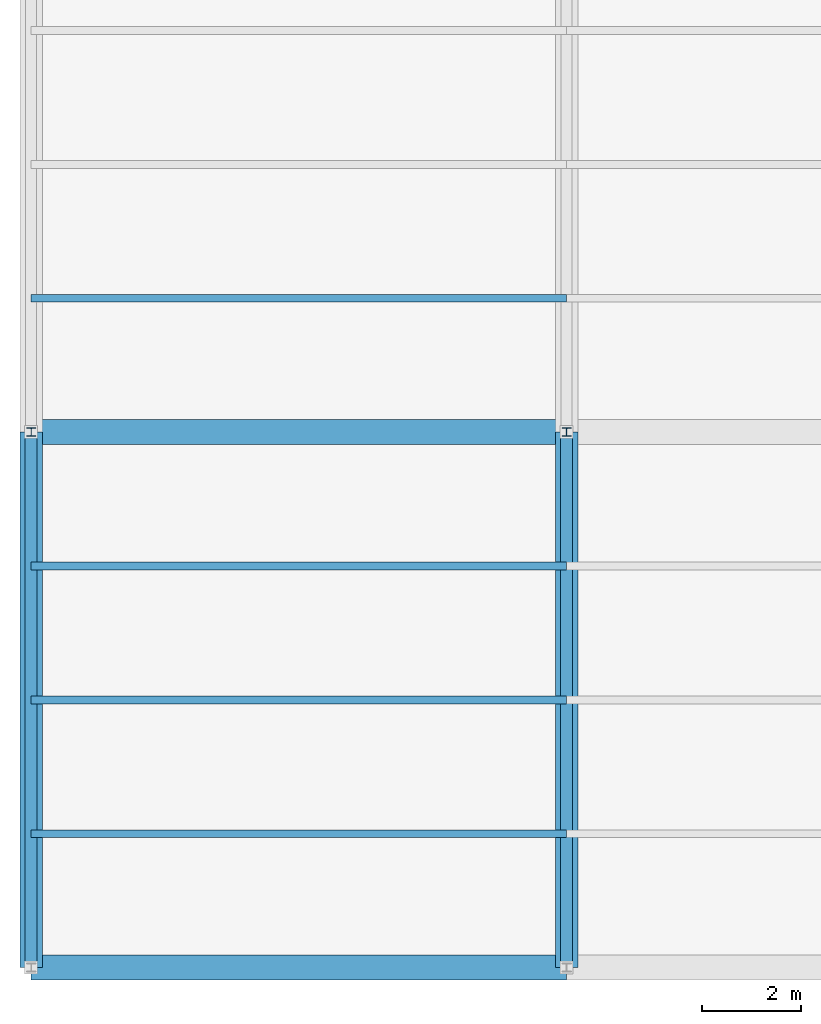
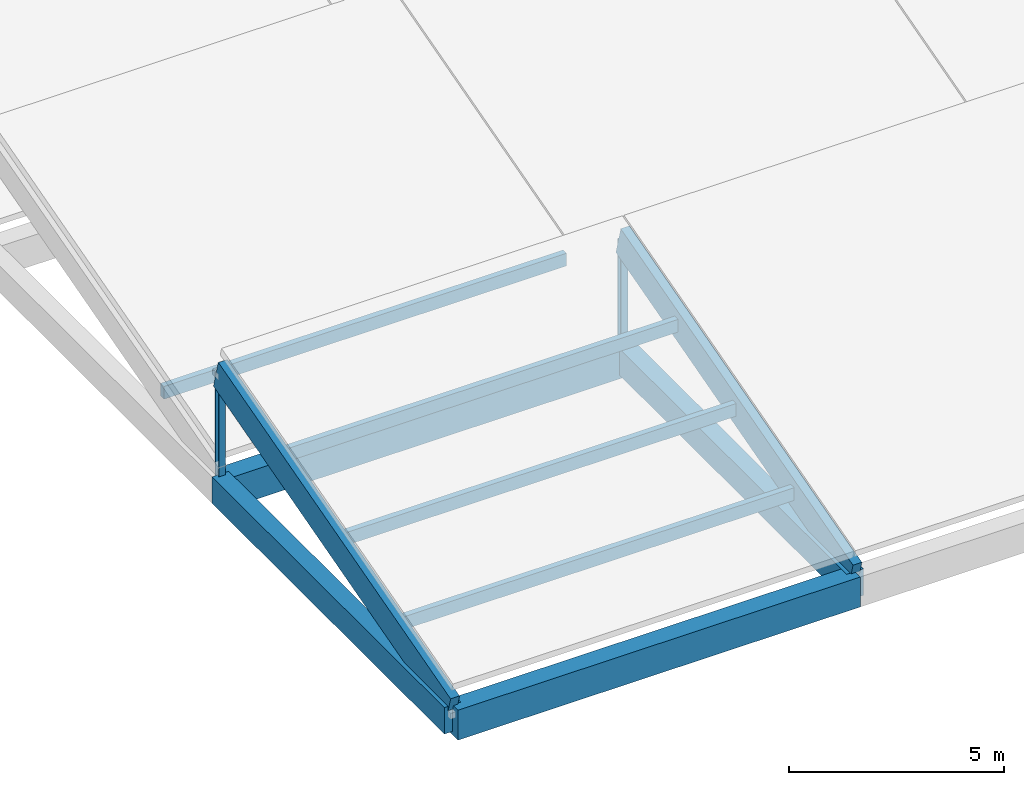
# One storey, part 1 of 112: 8 members, 4 beams.
"""IFC4 building model written with IfcOpenShell, lengths in metres."""

import ifcopenshell
import ifcopenshell.guid

model = None  # the IFC model being written
_history = None  # IfcOwnerHistory: only IFC2X3 demands one
_inside = {}  # id of a spatial element -> (the spatial element, [elements in it])
_under = {}  # id of a project, library or spatial element -> (it, [spatial elements below it])
_declared = {}  # id of a project -> (the project, [libraries it declares])
_typed = {}  # id of a type object -> (the type object, [elements of that type])
_made_of = {}  # id of a material, layer set ... -> (it, [elements and type objects made of it])


def new_model(schema):
    """Start an empty IFC model of exactly this schema.

    Asked for "IFC4X3", IfcOpenShell would pick the latest addendum, in which some entities
    have other attributes; the version numbers below select the first issue.
    IFC2X3 requires an IfcOwnerHistory on every rooted entity: one is made here for all.
    """
    global model, _history
    if schema == "IFC4X3":
        model = ifcopenshell.file(schema_version=(4, 3, 0, 0))
    else:
        model = ifcopenshell.file(schema=schema)
    _inside.clear()
    _under.clear()
    _declared.clear()
    _typed.clear()
    _made_of.clear()
    _history = None
    if model.schema == "IFC2X3":
        org = make("IfcOrganization", Name="unknown")
        user = make(
            "IfcPersonAndOrganization",
            ThePerson=make("IfcPerson", FamilyName="unknown"),
            TheOrganization=org,
        )
        app = make(
            "IfcApplication",
            ApplicationDeveloper=org,
            Version="unknown",
            ApplicationFullName="unknown",
            ApplicationIdentifier="unknown",
        )
        _history = make(
            "IfcOwnerHistory",
            OwningUser=user,
            OwningApplication=app,
            ChangeAction="ADDED",
            CreationDate=0,
        )
    return model


def make(cls, **values):
    """One entity of the class cls with the attributes given. An attribute that is None is left unset."""
    return model.create_entity(
        cls, **{name: value for name, value in values.items() if value is not None}
    )


def rooted(cls, **values):
    """An entity with a GlobalId (a new one), such as an element, a storey or a relation."""
    return make(cls, GlobalId=ifcopenshell.guid.new(), OwnerHistory=_history, **values)


def si_unit(unit_type, name, prefix=None):
    """IfcSIUnit, for example si_unit("LENGTHUNIT", "METRE", prefix="MILLI")."""
    return make("IfcSIUnit", UnitType=unit_type, Prefix=prefix, Name=name)


def assignment(units):
    """IfcUnitAssignment: the units of a project."""
    return None if units is None else make("IfcUnitAssignment", Units=units)


def point(xyz):
    """IfcCartesianPoint."""
    return None if xyz is None else make("IfcCartesianPoint", Coordinates=xyz)


def direction(xyz):
    """IfcDirection."""
    return None if xyz is None else make("IfcDirection", DirectionRatios=xyz)


def frame(location, z_axis=None, x_axis=None):
    """IfcAxis2Placement3D, a coordinate frame: its origin and axes. An axis left out is left unset."""
    return make(
        "IfcAxis2Placement3D",
        Location=point(location),
        Axis=direction(z_axis),
        RefDirection=direction(x_axis),
    )


def frame_2d(location, x_axis=None):
    """IfcAxis2Placement2D, a coordinate frame in the plane: its origin and x axis."""
    return make(
        "IfcAxis2Placement2D", Location=point(location), RefDirection=direction(x_axis)
    )


def origin():
    """The frame at (0, 0, 0) with its axes left unset."""
    return frame((0.0, 0.0, 0.0))


def origin_2d():
    """The frame at (0, 0) in the plane with its x axis left unset."""
    return frame_2d((0.0, 0.0))


def place(relative_to, where):
    """IfcLocalPlacement: puts the frame where relative to a parent placement (None: the world)."""
    return make(
        "IfcLocalPlacement", PlacementRelTo=relative_to, RelativePlacement=where
    )


def context(
    kind, dimensions, precision=None, world=None, true_north=None, identifier=None
):
    """IfcGeometricRepresentationContext, for example the 3D "Model" context."""
    return make(
        "IfcGeometricRepresentationContext",
        ContextIdentifier=identifier,
        ContextType=kind,
        CoordinateSpaceDimension=dimensions,
        Precision=precision,
        WorldCoordinateSystem=world,
        TrueNorth=true_north,
    )


def subcontext(parent, identifier, kind, view, scale=None):
    """IfcGeometricRepresentationSubContext, for example "Body" below "Model"."""
    return make(
        "IfcGeometricRepresentationSubContext",
        ContextIdentifier=identifier,
        ContextType=kind,
        ParentContext=parent,
        TargetScale=scale,
        TargetView=view,
    )


def project(units=None, contexts=None):
    """IfcProject with its units and contexts."""
    return rooted(
        "IfcProject",
        Name="project",
        RepresentationContexts=contexts,
        UnitsInContext=assignment(units),
    )


def spatial(cls, under=None, at=None, **own):
    """A site, building, storey or space (cls), placed at a placement, below another one or the project."""
    s = rooted(cls, ObjectPlacement=at, **own)
    if under is not None:
        _under.setdefault(under.id(), (under, []))[1].append(s)
    return s


def profile(cls, at=None, kind="AREA", **sizes):
    """A parametric profile (cls). Its sizes go by their IFC names, for example OverallWidth=200.0."""
    return make(cls, ProfileType=kind, Position=at, **sizes)


def rectangle(**sizes):
    """IfcRectangleProfileDef."""
    return profile("IfcRectangleProfileDef", **sizes)


def i_section(**sizes):
    """IfcIShapeProfileDef."""
    return profile("IfcIShapeProfileDef", **sizes)


def extrude(swept, where, along, depth):
    """IfcExtrudedAreaSolid: the profile swept, set in the frame where, extruded along a direction by depth."""
    return make(
        "IfcExtrudedAreaSolid",
        SweptArea=swept,
        Position=where,
        ExtrudedDirection=direction(along),
        Depth=depth,
    )


def shape(context_of_items, identifier, shape_type, items):
    """IfcShapeRepresentation: the items that make up one representation, for example the "Body"."""
    return make(
        "IfcShapeRepresentation",
        ContextOfItems=context_of_items,
        RepresentationIdentifier=identifier,
        RepresentationType=shape_type,
        Items=items,
    )


def material(Name=None, Category=None):
    """IfcMaterial."""
    return make("IfcMaterial", Name=Name, Category=Category)


def material_profile(
    of_material, cross_section, Name=None, Category=None, Priority=None
):
    """IfcMaterialProfile: a cross section and its material."""
    return make(
        "IfcMaterialProfile",
        Name=Name,
        Material=of_material,
        Profile=cross_section,
        Priority=Priority,
        Category=Category,
    )


def profile_set(profiles, Name=None, composite=None):
    """IfcMaterialProfileSet."""
    return make(
        "IfcMaterialProfileSet",
        Name=Name,
        MaterialProfiles=profiles,
        CompositeProfile=composite,
    )


def made_of(thing, what):
    """Note that an element or type object is made of a material, layer set ...; save() writes the relation."""
    if what is not None:
        _made_of.setdefault(what.id(), (what, []))[1].append(thing)
    return thing


def type_object(cls, material=None, **own):
    """A type object (cls), such as IfcWallType, which elements share."""
    return made_of(rooted(cls, **own), material)


def element(
    cls,
    number,
    at=None,
    inside=None,
    cuts=None,
    type_object=None,
    material=None,
    context=None,
    identifier="Body",
    shape_type=None,
    held_by="IfcProductDefinitionShape",
    body=None,
    shapes=None,
    **own,
):
    """One element of the class cls, such as IfcWall. Its Tag is "e" and its number.

    at: its placement. inside: the storey or other place that contains it. cuts: it is an
    opening in that element (IfcRelVoidsElement). A single representation is given by context,
    identifier, shape_type and body (its items); several are given by shapes. held_by: the class
    of the entity that holds the representations. save() writes the other relations.
    """
    e = rooted(cls, Tag="e%d" % number, ObjectPlacement=at, **own)
    if body is not None:
        shapes = [shape(context, identifier, shape_type, body)]
    if shapes is not None:
        e.Representation = make(held_by, Representations=shapes)
    if inside is not None:
        _inside.setdefault(inside.id(), (inside, []))[1].append(e)
    if cuts is not None:
        rooted(
            "IfcRelVoidsElement", RelatingBuildingElement=cuts, RelatedOpeningElement=e
        )
    if type_object is not None:
        _typed.setdefault(type_object.id(), (type_object, []))[1].append(e)
    return made_of(e, material)


def aggregate(whole, parts):
    """IfcRelAggregates: a whole, such as a stair, and the parts it consists of."""
    return rooted("IfcRelAggregates", RelatingObject=whole, RelatedObjects=parts)


def save(model, path):
    """Write the relations noted so far, then the file.

    IfcRelAggregates (storeys below a building ...), IfcRelContainedInSpatialStructure (elements
    in a storey), IfcRelDefinesByType, IfcRelAssociatesMaterial and IfcRelDeclares: one each for
    every whole, place, type object, material and project.
    """
    for whole, parts in _under.values():
        aggregate(whole, parts)
    for where, things in _inside.values():
        rooted(
            "IfcRelContainedInSpatialStructure",
            RelatedElements=things,
            RelatingStructure=where,
        )
    for kind, things in _typed.values():
        rooted("IfcRelDefinesByType", RelatedObjects=things, RelatingType=kind)
    for what, things in _made_of.values():
        rooted("IfcRelAssociatesMaterial", RelatedObjects=things, RelatingMaterial=what)
    for by, libraries in _declared.values():
        rooted("IfcRelDeclares", RelatingContext=by, RelatedDefinitions=libraries)
    model.write(path)


model = new_model("IFC4")

# Units and contexts
model_context = context("Model", 3, precision=1e-05, world=origin(), true_north=direction((0.0, 1.0)))
body_context = subcontext(model_context, "Body", "Model", "MODEL_VIEW")
ifc_project = project(units=[si_unit("LENGTHUNIT", "METRE"), si_unit("AREAUNIT", "SQUARE_METRE"), si_unit("VOLUMEUNIT", "CUBIC_METRE"), si_unit("PLANEANGLEUNIT", "RADIAN"), si_unit("MASSUNIT", "GRAM", prefix="KILO")], contexts=[model_context])

# Site, building, storey
site_placement = place(None, origin())
site = spatial("IfcSite", under=ifc_project, at=site_placement, CompositionType="ELEMENT")
building_placement = place(site_placement, origin())
building = spatial("IfcBuilding", under=site, at=building_placement, Name="Zwinboog Wholesale Market", CompositionType="ELEMENT")
storey_placement = place(building_placement, frame((0.0, 0.0, 19.080078125)))
storey = spatial("IfcBuildingStorey", under=building, at=storey_placement, Name="Roof", CompositionType="ELEMENT", Elevation=19.080078125)

# Beams
ifc_material_1 = material(Name="Precast concrete C45/55", Category="concrete")
ifc_material_profile_1 = material_profile(ifc_material_1, rectangle(XDim=0.5, YDim=0.85009765625, at=origin_2d()), Name="PC 500x850")
ifc_profile_set_1 = profile_set([ifc_material_profile_1], Name="Precast concrete C45/55")
beam_type_1 = type_object("IfcBeamType", Name="BT-03", PredefinedType="BEAM", material=ifc_profile_set_1)
for number, where, z_axis, x_axis, name in (
    (1, (0.0, 0.0, -9.425048828125), (1.0, 0.0, 0.0), (0.0, 1.0, 0.0), "BG-03 (BMG-Roof-0000-0000-1147)"),
    (2, (0.0, 10.800048828125, -9.425048828125), (1.0, 0.0, 0.0), (0.0, 1.0, 0.0), "BG-03 (BMG-Roof-0000-0108-1151)"),
):
    element("IfcBeam", number, at=place(storey_placement, frame(where, z_axis=z_axis, x_axis=x_axis)), inside=storey, type_object=beam_type_1, Name=name, PredefinedType="BEAM", context=body_context, shape_type="SweptSolid", body=[
        extrude(rectangle(XDim=0.5, YDim=0.85009765625, at=origin_2d()), origin(), (0.0, 0.0, 1.0), 10.800048828125),
    ])
ifc_material_profile_2 = material_profile(ifc_material_1, rectangle(XDim=0.449951171875, YDim=0.75, at=origin_2d()), Name="PC 450x750")
ifc_profile_set_2 = profile_set([ifc_material_profile_2], Name="Precast concrete C45/55")
beam_type_2 = type_object("IfcBeamType", Name="BT-04", PredefinedType="BEAM", material=ifc_profile_set_2)
for number, where, z_axis, x_axis, name in (
    (3, (0.0, 0.0, -9.375), (0.0, 1.0, 0.0), (-1.0, 0.0, 0.0), "BG-04 (BMG-Roof-0000-0000-1201)"),
    (4, (10.800048828125, 0.0, -9.375), (0.0, 1.0, 0.0), (-1.0, 0.0, 0.0), "BG-04 (BMG-Roof-0108-0000-1211)"),
):
    element("IfcBeam", number, at=place(storey_placement, frame(where, z_axis=z_axis, x_axis=x_axis)), inside=storey, type_object=beam_type_2, Name=name, PredefinedType="BEAM", context=body_context, shape_type="SweptSolid", body=[
        extrude(rectangle(XDim=0.449951171875, YDim=0.75, at=origin_2d()), origin(), (0.0, 0.0, 1.0), 10.800048828125),
    ])

# Members
ifc_material_2 = material(Name="Steel S355", Category="steel")
ifc_material_profile_3 = material_profile(ifc_material_2, i_section(OverallWidth=0.179931640625, OverallDepth=0.1708984375, WebThickness=0.006103515625, FlangeThickness=0.009521484375, FilletRadius=0.014892578125, at=origin_2d()), Name="HEA 180")
ifc_profile_set_3 = profile_set([ifc_material_profile_3], Name="Steel S355")
member_type_1 = type_object("IfcMemberType", Name="MT-07", PredefinedType="BRACE", material=ifc_profile_set_3)
member_1_placement = place(storey_placement, frame((0.0, 10.800048828125, -9.2001953125), z_axis=(0.0, 0.0, 1.0), x_axis=(1.0, 0.0, 0.0)))
element("IfcMember", 5, at=member_1_placement, inside=storey, type_object=member_type_1, Name="DB-04 (MEM-Roof-0662)", PredefinedType="BRACE", context=body_context, shape_type="SweptSolid", body=[
    extrude(i_section(OverallWidth=0.179931640625, OverallDepth=0.1708984375, WebThickness=0.006103515625, FlangeThickness=0.009521484375, FilletRadius=0.014892578125, at=origin_2d()), origin(), (0.0, 0.0, 1.0), 3.074462890625),
])
member_2_placement = place(storey_placement, frame((10.800048828125, 10.800048828125, -9.2001953125), z_axis=(0.0, 0.0, 1.0), x_axis=(1.0, 0.0, 0.0)))
element("IfcMember", 6, at=member_2_placement, inside=storey, type_object=member_type_1, Name="DB-04 (MEM-Roof-0667)", PredefinedType="BRACE", context=body_context, shape_type="SweptSolid", body=[
    extrude(i_section(OverallWidth=0.179931640625, OverallDepth=0.1708984375, WebThickness=0.006103515625, FlangeThickness=0.009521484375, FilletRadius=0.014892578125, at=origin_2d()), origin(), (0.0, 0.0, 1.0), 3.0869140625),
])
ifc_material_3 = material(Name="Glulam GL28h", Category="wood")
ifc_material_profile_4 = material_profile(ifc_material_3, rectangle(XDim=0.239990234375, YDim=0.840087890625, at=origin_2d()), Name="GL28h 240x840")
ifc_profile_set_4 = profile_set([ifc_material_profile_4], Name="Glulam GL28h")
member_type_2 = type_object("IfcMemberType", Name="MT-09", PredefinedType="RAFTER", material=ifc_profile_set_4)
for number, where, z_axis, x_axis, name in (
    (7, (0.0, 0.0, -9.125732421875), (0.0, 0.963518221675, 0.26764274042), (-1.0, 0.0, 0.0), "GR-01 (MEM-Roof-0663)"),
    (8, (10.800048828125, 0.0, -9.11328125), (0.0, 0.963518221675, 0.26764274042), (-1.0, 0.0, 0.0), "GR-01 (MEM-Roof-0668)"),
):
    element("IfcMember", number, at=place(storey_placement, frame(where, z_axis=z_axis, x_axis=x_axis)), inside=storey, type_object=member_type_2, Name=name, PredefinedType="RAFTER", context=body_context, shape_type="SweptSolid", body=[
        extrude(rectangle(XDim=0.239990234375, YDim=0.840087890625, at=origin_2d()), origin(), (0.0, 0.0, 1.0), 11.208984375),
    ])
ifc_material_profile_5 = material_profile(ifc_material_3, rectangle(XDim=0.159912109375, YDim=0.360107421875, at=origin_2d()), Name="GL28h 160x360")
ifc_profile_set_5 = profile_set([ifc_material_profile_5], Name="Glulam GL28h")
member_type_3 = type_object("IfcMemberType", Name="MT-12", PredefinedType="PURLIN", material=ifc_profile_set_5)
for number, where, z_axis, x_axis, name in (
    (9, (0.0, 2.699951171875, -8.345703125), (1.0, 0.0, 0.0), (0.0, 1.0, 0.0), "GP-01 (MEM-Roof-0664)"),
    (10, (0.0, 8.10009765625, -6.845703125), (1.0, 0.0, 0.0), (0.0, 1.0, 0.0), "GP-01 (MEM-Roof-0665)"),
    (11, (0.0, 13.5, -8.285888671875), (1.0, 0.0, 0.0), (0.0, 1.0, 0.0), "GP-01 (MEM-Roof-0686)"),
    (12, (0.0, 5.39990234375, -7.595703125), (1.0, 0.0, 0.0), (0.0, 1.0, 0.0), "GP-01 (MEM-PRL-Roof-0001)"),
):
    element("IfcMember", number, at=place(storey_placement, frame(where, z_axis=z_axis, x_axis=x_axis)), inside=storey, type_object=member_type_3, Name=name, PredefinedType="PURLIN", context=body_context, shape_type="SweptSolid", body=[
        extrude(rectangle(XDim=0.159912109375, YDim=0.360107421875, at=origin_2d()), origin(), (0.0, 0.0, 1.0), 10.800048828125),
    ])

save(model, "model.ifc")
